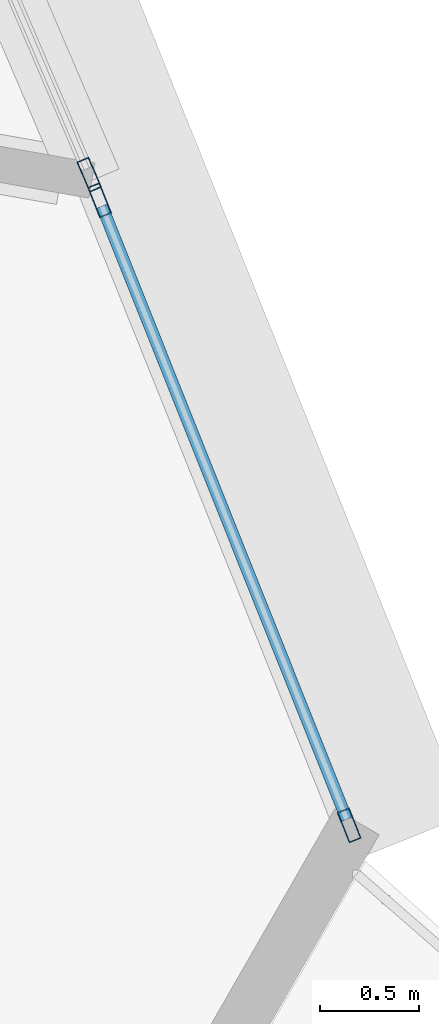
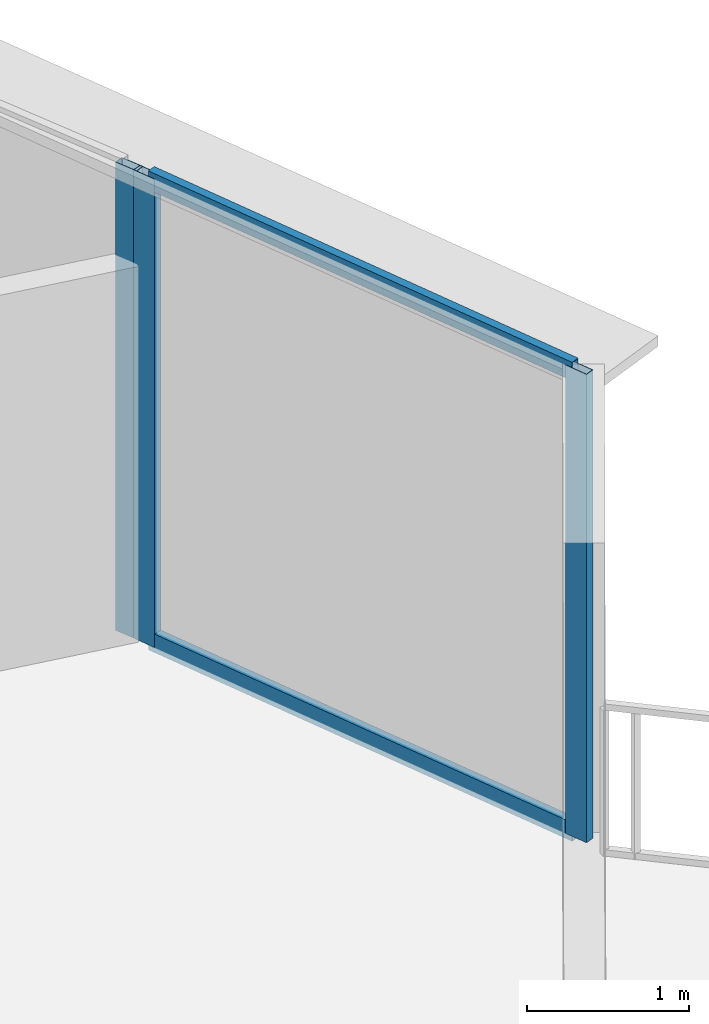
# One storey, part 22 of 36: 5 members, 2 elements without a shape of their own.
"""IFC4 building model written with IfcOpenShell, lengths in metres."""

from ifc_helpers import new_model, si_unit, direction, frame, origin, origin_2d, place, context, subcontext, project, spatial, hollow_rectangle, extrude, source, transform, mapped, material, layer, layer_set, material_profile, profile_set, type_object, element, aggregate, save


model = new_model("IFC4")

# Units and contexts
model_context = context("Model", 3, precision=1e-05, world=origin(), true_north=direction((0.0, 1.0)))
body_context = subcontext(model_context, "Body", "Model", "MODEL_VIEW")
ifc_project = project(units=[si_unit("LENGTHUNIT", "METRE"), si_unit("AREAUNIT", "SQUARE_METRE"), si_unit("VOLUMEUNIT", "CUBIC_METRE"), si_unit("PLANEANGLEUNIT", "RADIAN"), si_unit("MASSUNIT", "GRAM", prefix="KILO"), si_unit("THERMODYNAMICTEMPERATUREUNIT", "KELVIN"), si_unit("POWERUNIT", "WATT")], contexts=[model_context])

# Site, building, storey
site_placement = place(None, origin())
site = spatial("IfcSite", under=ifc_project, at=site_placement, CompositionType="ELEMENT")
building_placement = place(site_placement, origin())
building = spatial("IfcBuilding", under=site, at=building_placement, Name="Yunzhuo Pagoda Commons", CompositionType="ELEMENT")
storey_placement = place(building_placement, frame((0.0, 0.0, 103.97998046875)))
storey = spatial("IfcBuildingStorey", under=building, at=storey_placement, Name="L26", CompositionType="ELEMENT", Elevation=103.97998046875)

# Curtain wall, member
ifc_material = material(Name="Anodized aluminium 6063-T6", Category="aluminium")
ifc_layer = layer(ifc_material, 0.1650390625)
ifc_layer_set = layer_set([ifc_layer], Name="Anodized aluminium 6063-T6")
curtain_wall_type = type_object("IfcCurtainWallType", Name="CW-LOW Low-Zone Ribbon Curtain Wall", PredefinedType="NOTDEFINED", material=ifc_layer_set)
curtain_wall_1_placement = place(storey_placement, origin())
curtain_wall_1 = element("IfcCurtainWall", 1, at=curtain_wall_1_placement, inside=storey, type_object=curtain_wall_type, Name="L26 curtain wall CW-L26-F2B2", PredefinedType="NOTDEFINED")
ifc_material_profile_1 = material_profile(ifc_material, hollow_rectangle(XDim=0.06494140625, YDim=0.1650390625, WallThickness=0.00390625, at=origin_2d()), Name="Anodized aluminium 6063-T6")
ifc_profile_set_1 = profile_set([ifc_material_profile_1], Name="Anodized aluminium 6063-T6")
member_type_1 = type_object("IfcMemberType", Name="CW-LOW-M Mullion RHS 165x65x4", PredefinedType="MULLION", material=ifc_profile_set_1)
shared_shape_1 = source(origin(), body_context, "Body", "SweptSolid", [
    extrude(hollow_rectangle(XDim=0.06494140625, YDim=0.1650390625, WallThickness=0.00390625, at=origin_2d()), origin(), (0.0, 0.0, 1.0), 3.5400390625),
])
member_1_placement = place(storey_placement, frame((88.0517578125, 26.665283203125, 0.000244140625), z_axis=(0.0, 0.0, 1.0), x_axis=(-0.919516302226, -0.39305186673, 0.0)))
member_1 = element("IfcMember", 2, at=member_1_placement, type_object=member_type_1, Name="CW mullion 1", PredefinedType="MULLION", context=body_context, shape_type="MappedRepresentation", body=[
    mapped(shared_shape_1, transform((0.0, 0.0, 0.0), scale=1.0)),
])
aggregate(curtain_wall_1, [member_1])

# Curtain wall, members
curtain_wall_2_placement = place(storey_placement, origin())
curtain_wall_2 = element("IfcCurtainWall", 3, at=curtain_wall_2_placement, inside=storey, type_object=curtain_wall_type, Name="L26 curtain wall CW-L26-F2B1", PredefinedType="NOTDEFINED")
member_2_placement = place(storey_placement, frame((89.36767578125, 23.3720703125, 0.000244140625), z_axis=(0.0, 0.0, 1.0), x_axis=(-0.928701015293, -0.370829373424, 0.0)))
member_2 = element("IfcMember", 4, at=member_2_placement, type_object=member_type_1, Name="CW mullion 1", PredefinedType="MULLION", context=body_context, shape_type="MappedRepresentation", body=[
    mapped(shared_shape_1, transform((0.0, 0.0, 0.0), scale=1.0)),
])
member_3_placement = place(storey_placement, frame((88.1044921875, 26.535888671875, 0.000244140625), z_axis=(0.0, 0.0, 1.0), x_axis=(-0.928701015293, -0.370829373424, 0.0)))
member_3 = element("IfcMember", 5, at=member_3_placement, type_object=member_type_1, Name="CW mullion 2", PredefinedType="MULLION", context=body_context, shape_type="MappedRepresentation", body=[
    mapped(shared_shape_1, transform((0.0, 0.0, 0.0), scale=1.0)),
])
ifc_material_profile_2 = material_profile(ifc_material, hollow_rectangle(XDim=0.06005859375, YDim=0.139892578125, WallThickness=0.00341796875, at=origin_2d()), Name="Anodized aluminium 6063-T6")
ifc_profile_set_2 = profile_set([ifc_material_profile_2], Name="Anodized aluminium 6063-T6")
member_type_2 = type_object("IfcMemberType", Name="CW-LOW-T Transom RHS 140x60x3.5", PredefinedType="USERDEFINED", material=ifc_profile_set_2)
shared_shape_2 = source(origin(), body_context, "Body", "SweptSolid", [
    extrude(hollow_rectangle(XDim=0.06005859375, YDim=0.139892578125, WallThickness=0.00341796875, at=origin_2d()), origin(), (0.0, 0.0, 1.0), 3.34130859375),
])
member_4_placement = place(storey_placement, frame((89.355712890625, 23.40234375, 0.030029296875), z_axis=(-0.370886713186, 0.928678117532, 0.0), x_axis=(-0.928678117532, -0.370886713186, 0.0)))
member_4 = element("IfcMember", 6, at=member_4_placement, type_object=member_type_2, Name="CW transom 1.1", ObjectType="TRANSOM", PredefinedType="USERDEFINED", context=body_context, shape_type="MappedRepresentation", body=[
    mapped(shared_shape_2, transform((0.0, 0.0, 0.0), scale=1.0)),
])
member_5_placement = place(storey_placement, frame((89.355712890625, 23.40234375, 3.510009765625), z_axis=(-0.370886713186, 0.928678117532, 0.0), x_axis=(-0.928678117532, -0.370886713186, 0.0)))
member_5 = element("IfcMember", 7, at=member_5_placement, type_object=member_type_2, Name="CW transom 1.2", ObjectType="TRANSOM", PredefinedType="USERDEFINED", context=body_context, shape_type="MappedRepresentation", body=[
    mapped(shared_shape_2, transform((0.0, 0.0, 0.0), scale=1.0)),
])
aggregate(curtain_wall_2, [member_2, member_3, member_4, member_5])

save(model, "model.ifc")
